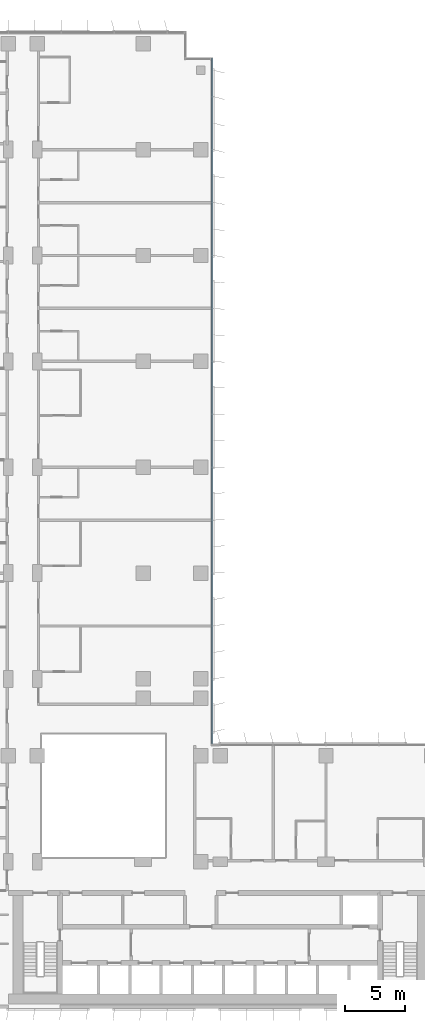
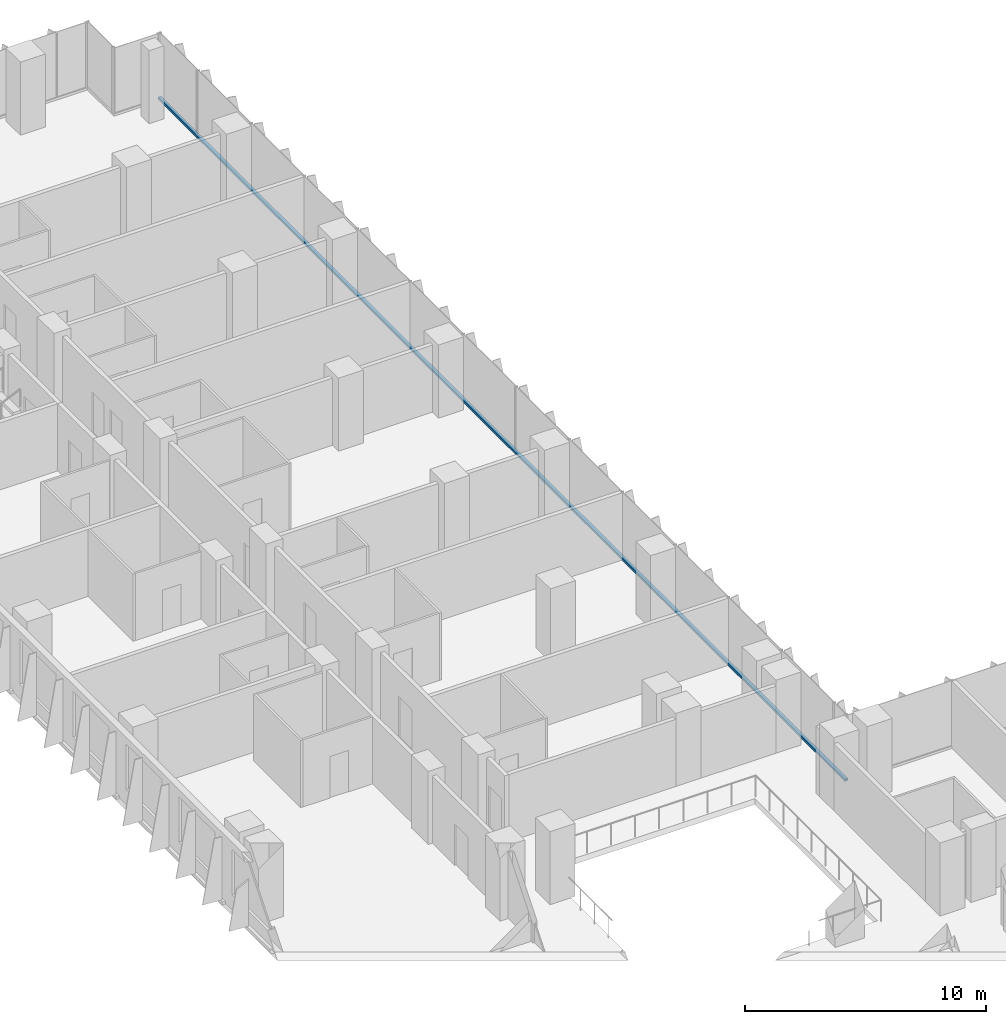
# One storey, part 6 of 22: 1 member, 1 element without a shape of its own.
"""IFC4 building model written with IfcOpenShell, lengths in metres."""

from ifc_helpers import new_model, si_unit, direction, frame, origin, origin_2d, place, context, subcontext, project, spatial, rectangle, extrude, material, material_profile, profile_set, type_object, element, aggregate, save


model = new_model("IFC4")

# Units and contexts
model_context = context("Model", 3, precision=1e-05, world=origin(), true_north=direction((0.0, 1.0)))
body_context = subcontext(model_context, "Body", "Model", "MODEL_VIEW")
ifc_project = project(units=[si_unit("LENGTHUNIT", "METRE"), si_unit("AREAUNIT", "SQUARE_METRE"), si_unit("VOLUMEUNIT", "CUBIC_METRE"), si_unit("PLANEANGLEUNIT", "RADIAN"), si_unit("MASSUNIT", "GRAM", prefix="KILO")], contexts=[model_context])

# Site, building, storey
site_placement = place(None, origin())
site = spatial("IfcSite", under=ifc_project, at=site_placement, CompositionType="ELEMENT")
building_placement = place(site_placement, origin())
building = spatial("IfcBuilding", under=site, at=building_placement, Name="Kemantara Hotel Tower", CompositionType="ELEMENT")
storey_placement = place(building_placement, frame((0.0, 0.0, 94.5)))
storey = spatial("IfcBuildingStorey", under=building, at=storey_placement, Name="L22", CompositionType="ELEMENT", Elevation=94.5)

# Curtain wall, member
ifc_material_1 = material(Name="Low-E tinted double insulated glass 36 mm", Category="glass")
curtain_wall_type = type_object("IfcCurtainWallType", Name="TOWER CURTAIN WALL, FRONT FACES", PredefinedType="USERDEFINED", material=ifc_material_1)
curtain_wall_placement = place(storey_placement, origin())
curtain_wall = element("IfcCurtainWall", 1, at=curtain_wall_placement, inside=storey, type_object=curtain_wall_type, Name="CW4 L22 T2-R14-1", ObjectType="TOWER CURTAIN WALL, FRONT FACES", PredefinedType="USERDEFINED")
ifc_material_2 = material(Name="Aluminium 6063-T6 bronze anodised", Category="aluminium")
ifc_material_profile = material_profile(ifc_material_2, rectangle(XDim=0.14990234375, YDim=0.1201171875, at=origin_2d()), Name="TOWER CURTAIN WALL, FRONT FACES TRANSOM")
ifc_profile_set = profile_set([ifc_material_profile], Name="Aluminium 6063-T6 bronze anodised")
member_type = type_object("IfcMemberType", Name="TOWER CURTAIN WALL, FRONT FACES TRANSOM", PredefinedType="USERDEFINED", material=ifc_profile_set)
member_placement = place(storey_placement, frame((26.72509765625, 22.0, 0.06005859375), z_axis=(0.0, 1.0, 0.0), x_axis=(-1.0, 0.0, 0.0)))
member = element("IfcMember", 2, at=member_placement, type_object=member_type, Name="CW4 sill transom T2-R14-1", ObjectType="TRANSOM", PredefinedType="USERDEFINED", context=body_context, shape_type="SweptSolid", body=[
    extrude(rectangle(XDim=0.14990234375, YDim=0.1201171875, at=origin_2d()), origin(), (0.0, 0.0, 1.0), 57.0),
])
aggregate(curtain_wall, [member])

save(model, "model.ifc")
